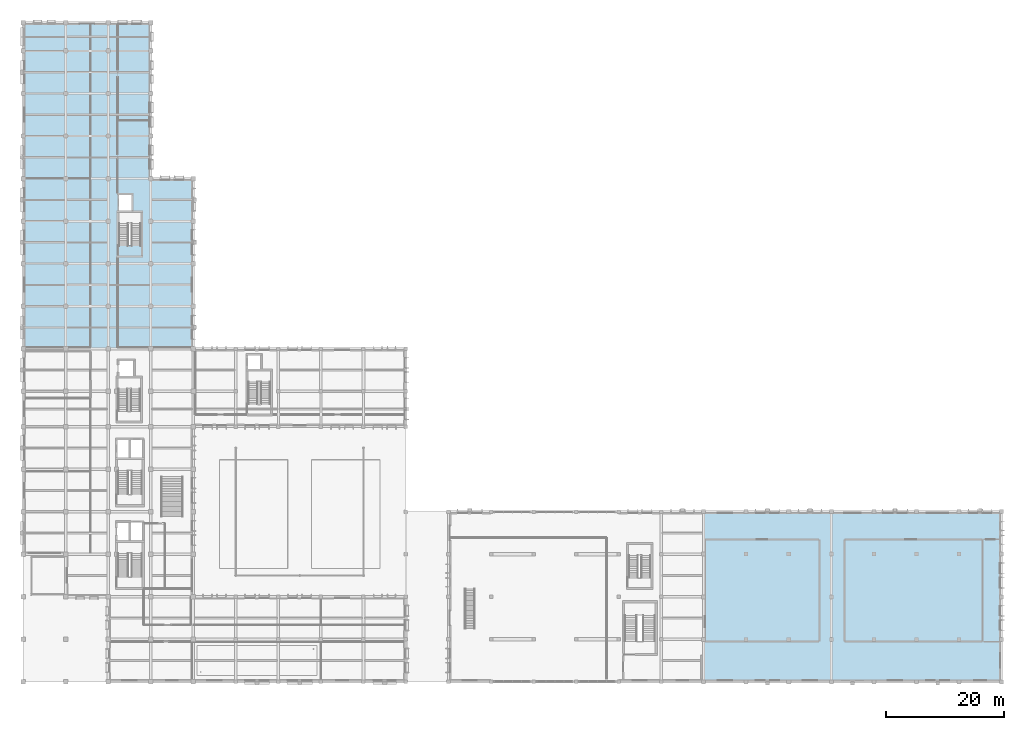
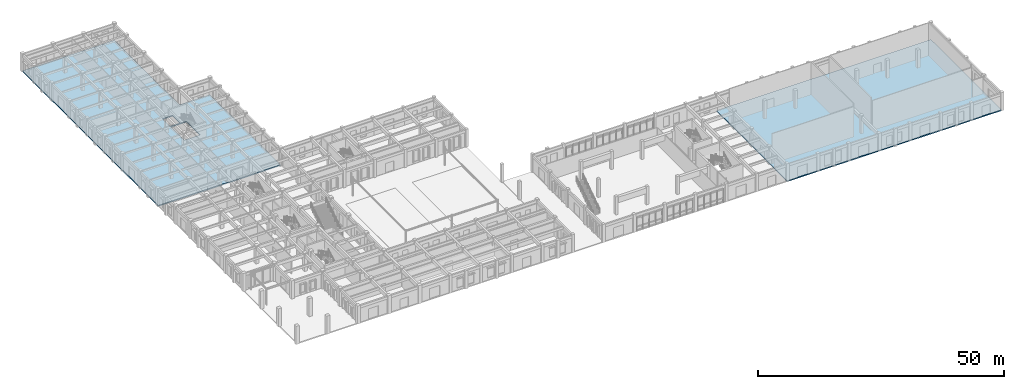
# One storey, part 18 of 43: 2 slabs.
"""IFC4 building model written with IfcOpenShell, lengths in metres."""

from ifc_helpers import new_model, si_unit, direction, frame, origin, place, context, subcontext, project, spatial, polyline, outline, extrude, material, layer, layer_set, type_object, element, save


model = new_model("IFC4")

# Units and contexts
model_context = context("Model", 3, precision=1e-05, world=origin(), true_north=direction((0.0, 1.0)))
body_context = subcontext(model_context, "Body", "Model", "MODEL_VIEW")
ifc_project = project(units=[si_unit("LENGTHUNIT", "METRE"), si_unit("AREAUNIT", "SQUARE_METRE"), si_unit("VOLUMEUNIT", "CUBIC_METRE"), si_unit("PLANEANGLEUNIT", "RADIAN"), si_unit("MASSUNIT", "GRAM", prefix="KILO")], contexts=[model_context])

# Site, building, storey
site_placement = place(None, origin())
site = spatial("IfcSite", under=ifc_project, at=site_placement, CompositionType="ELEMENT")
building_placement = place(site_placement, origin())
building = spatial("IfcBuilding", under=site, at=building_placement, Name="Alvorim Cloister Faculty of Sciences", CompositionType="ELEMENT")
storey_placement = place(building_placement, origin())
storey = spatial("IfcBuildingStorey", under=building, at=storey_placement, Name="L00", CompositionType="ELEMENT", Elevation=0.0)

# Slabs
ifc_material = material(Name="Concrete C40", Category="concrete")
ifc_layer = layer(ifc_material, 0.260009765625)
ifc_layer_set = layer_set([ifc_layer], Name="Concrete C40")
slab_type = type_object("IfcSlabType", Name="SL-RC-260", PredefinedType="FLOOR", material=ifc_layer_set)
slab_1_placement = place(storey_placement, frame((0.0, 0.0, -0.260009765625)))
element("IfcSlab", 1, at=slab_1_placement, inside=storey, type_object=slab_type, Name="L00 V1 Structural Slab 10", PredefinedType="FLOOR", context=body_context, shape_type="SweptSolid", body=[
    extrude(outline(polyline([(115.205078125, 0.0048828125), (115.205078125, 28.794921875), (165.594970703125, 28.794921875), (165.594970703125, 0.0048828125), (115.205078125, 0.0048828125)])), origin(), (0.0, 0.0, 1.0), 0.260009765625),
])
slab_2_placement = place(storey_placement, frame((0.0, 0.0, -0.260009765625)))
element("IfcSlab", 2, at=slab_2_placement, inside=storey, type_object=slab_type, Name="L00 V2 Structural Slab 11", PredefinedType="FLOOR", context=body_context, shape_type="SweptSolid", body=[
    extrude(outline(polyline([(28.794921875, 56.405029296875), (0.0048828125, 56.405029296875), (0.0048828125, 111.594970703125), (21.594970703125, 111.594970703125), (21.594970703125, 85.195068359375), (28.794921875, 85.195068359375), (28.794921875, 56.405029296875)]), holes=[polyline([(18.5, 82.60009765625), (16.10009765625, 82.60009765625), (16.10009765625, 79.60009765625), (18.5, 79.60009765625), (18.5, 82.60009765625)]), polyline([(19.919921875, 79.39990234375), (16.199951171875, 79.39990234375), (16.199951171875, 73.830078125), (19.919921875, 73.830078125), (19.919921875, 79.39990234375)])]), origin(), (0.0, 0.0, 1.0), 0.260009765625),
])

save(model, "model.ifc")
